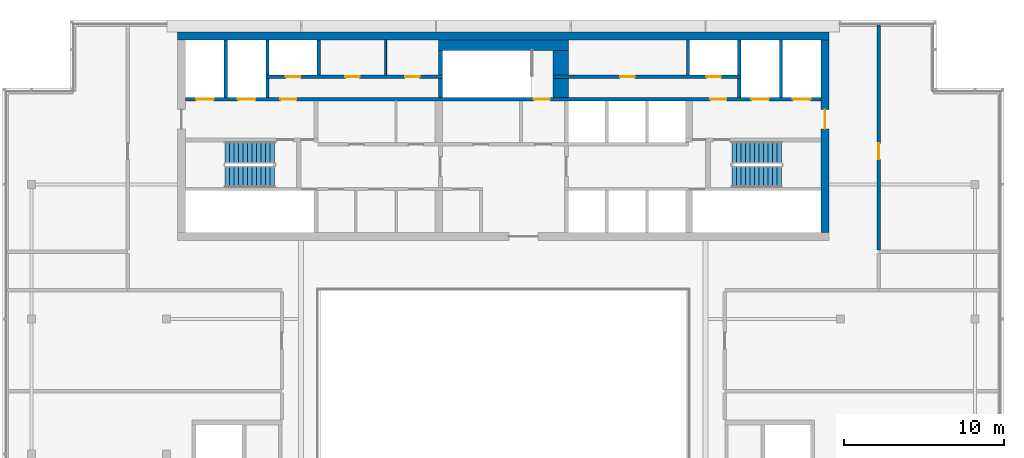
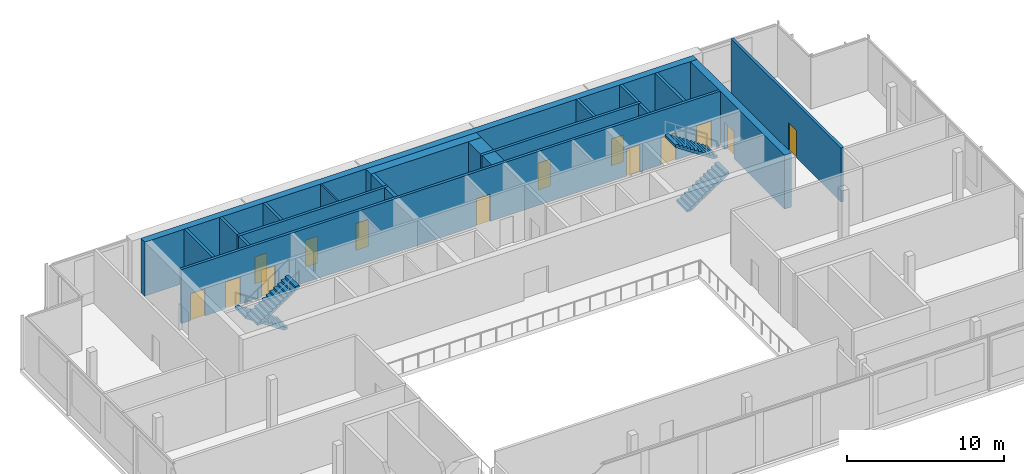
# One storey, part 13 of 14: 20 walls, 14 doors, 4 stair flights, 14 openings, 2 elements without a shape of their own.
"""IFC4 building model written with IfcOpenShell, lengths in metres."""

from ifc_helpers import new_model, si_unit, direction, frame, frame_2d, origin, place, context, subcontext, project, spatial, polyline, rectangle, outline, extrude, material, layer, layer_set, type_object, element, fill, aggregate, save


model = new_model("IFC4")

# Units and contexts
model_context = context("Model", 3, precision=1e-05, world=origin(), true_north=direction((0.0, 1.0)))
body_context = subcontext(model_context, "Body", "Model", "MODEL_VIEW")
ifc_project = project(units=[si_unit("LENGTHUNIT", "METRE"), si_unit("AREAUNIT", "SQUARE_METRE"), si_unit("VOLUMEUNIT", "CUBIC_METRE"), si_unit("PLANEANGLEUNIT", "RADIAN"), si_unit("MASSUNIT", "GRAM", prefix="KILO")], contexts=[model_context])

# Site, building, storey
site_placement = place(None, origin())
site = spatial("IfcSite", under=ifc_project, at=site_placement, CompositionType="ELEMENT")
building_placement = place(site_placement, origin())
building = spatial("IfcBuilding", under=site, at=building_placement, Name="Saffron Gate Tower", CompositionType="ELEMENT")
storey_placement = place(building_placement, frame((0.0, 0.0, 310.35009765625)))
storey = spatial("IfcBuildingStorey", under=building, at=storey_placement, Name="L76", CompositionType="ELEMENT", Elevation=310.35009765625)

# Wall
ifc_material_1 = material(Name="Concrete C50", Category="concrete")
ifc_layer_1 = layer(ifc_material_1, 0.5)
ifc_layer_set_1 = layer_set([ifc_layer_1], Name="CW22 RC core wall 500 C50")
wall_type_1 = type_object("IfcWallType", Name="CW22 RC core wall 500 C50", PredefinedType="SOLIDWALL", material=ifc_layer_set_1)
wall_1_placement = place(storey_placement, frame((67.300048828125, 74.64990234375, 0.0), z_axis=(0.0, 0.0, 1.0), x_axis=(1.0, 0.0, 0.0)))
element("IfcWall", 1, at=wall_1_placement, inside=storey, type_object=wall_type_1, Name="Wall CW22-L76-2", PredefinedType="SOLIDWALL", context=body_context, shape_type="SweptSolid", body=[
    extrude(rectangle(XDim=40.599853515625, YDim=0.5, at=frame_2d((20.2998046875, 0.0))), origin(), (0.0, 0.0, 1.0), 4.199951171875),
])

# Wall, opening, door
wall_2_placement = place(storey_placement, frame((107.64990234375, 62.39990234375, 0.0), z_axis=(0.0, 0.0, 1.0), x_axis=(0.0, 1.0, 0.0)))
wall_2 = element("IfcWall", 2, at=wall_2_placement, inside=storey, type_object=wall_type_1, Name="Wall CW22-L76-4", PredefinedType="SOLIDWALL", context=body_context, shape_type="SweptSolid", body=[
    extrude(rectangle(XDim=12.0, YDim=0.5, at=frame_2d((6.0, 0.0))), origin(), (0.0, 0.0, 1.0), 4.199951171875),
])
opening_1_placement = place(wall_2_placement, frame((6.449951171875, 0.0, 0.0)))
opening_1 = element("IfcOpeningElement", 3, at=opening_1_placement, cuts=wall_2, Name="Opening CR-08", PredefinedType="OPENING", context=body_context, shape_type="SweptSolid", body=[
    extrude(rectangle(XDim=1.199951171875, YDim=2.10009765625, at=frame_2d((0.60009765625, 1.050048828125))), frame((0.0, 0.260009765625, 0.0), z_axis=(0.0, -1.0, 0.0), x_axis=(1.0, 0.0, 0.0)), (0.0, 0.0, 1.0), 0.52001953125),
])
ifc_material_2 = material(Name="Steel fire door set", Category="steel")
door_type_1 = type_object("IfcDoorType", Name="CD7 Core entrance door 1200x2100 EI 120", OperationType="NOTDEFINED", PredefinedType="DOOR", material=ifc_material_2)
door_1_placement = place(opening_1_placement, origin())
door_1 = element("IfcDoor", 4, at=door_1_placement, inside=storey, type_object=door_type_1, Name="DOOR CR-08", OperationType="SINGLE_SWING_RIGHT", OverallHeight=2.10009765625, OverallWidth=1.199951171875, PredefinedType="DOOR", context=body_context, shape_type="SweptSolid", body=[
    extrude(rectangle(XDim=1.199951171875, YDim=2.10009765625, at=frame_2d((0.60009765625, 1.050048828125))), frame((0.0, 0.02490234375, 0.0), z_axis=(0.0, -1.0, 0.0), x_axis=(1.0, 0.0, 0.0)), (0.0, 0.0, 1.0), 0.050048828125),
])
fill(opening_1, door_1)

# Walls
ifc_layer_2 = layer(ifc_material_1, 0.25)
ifc_layer_set_2 = layer_set([ifc_layer_2], Name="CW23 RC core wall 250 C50")
wall_type_2 = type_object("IfcWallType", Name="CW23 RC core wall 250 C50", PredefinedType="SOLIDWALL", material=ifc_layer_set_2)
wall_3_placement = place(storey_placement, frame((83.675048828125, 70.800048828125, 0.0), z_axis=(0.0, 0.0, 1.0), x_axis=(0.0, 1.0, 0.0)))
element("IfcWall", 5, at=wall_3_placement, inside=storey, type_object=wall_type_2, Name="Wall CW23-L76-35", PredefinedType="SOLIDWALL", context=body_context, shape_type="SweptSolid", body=[
    extrude(rectangle(XDim=1.199951171875, YDim=0.25, at=frame_2d((0.60009765625, 0.0))), origin(), (0.0, 0.0, 1.0), 4.199951171875),
])
wall_4_placement = place(storey_placement, frame((83.675048828125, 72.199951171875, 0.0), z_axis=(0.0, 0.0, 1.0), x_axis=(0.0, 1.0, 0.0)))
element("IfcWall", 6, at=wall_4_placement, inside=storey, type_object=wall_type_2, Name="Wall CW23-L76-44", PredefinedType="SOLIDWALL", context=body_context, shape_type="SweptSolid", body=[
    extrude(rectangle(XDim=1.550048828125, YDim=0.25, at=frame_2d((0.77490234375, 0.0))), origin(), (0.0, 0.0, 1.0), 4.199951171875),
])

# Wall, openings, doors
ifc_layer_3 = layer(ifc_material_1, 0.199951171875)
ifc_layer_set_3 = layer_set([ifc_layer_3], Name="CW25 RC core wall 200 C50")
wall_type_3 = type_object("IfcWallType", Name="CW25 RC core wall 200 C50", PredefinedType="SOLIDWALL", material=ifc_layer_set_3)
wall_5_placement = place(storey_placement, frame((67.800048828125, 70.699951171875, 0.0), z_axis=(0.0, 0.0, 1.0), x_axis=(1.0, 0.0, 0.0)))
wall_5 = element("IfcWall", 7, at=wall_5_placement, inside=storey, type_object=wall_type_3, Name="Wall CW25-L76-32", PredefinedType="SOLIDWALL", context=body_context, shape_type="SweptSolid", body=[
    extrude(rectangle(XDim=39.599853515625, YDim=0.199951171875, at=frame_2d((19.7998046875, 0.0))), origin(), (0.0, 0.0, 1.0), 4.199951171875),
])
opening_2_placement = place(wall_5_placement, frame((0.64990234375, 0.0, 0.0)))
opening_2 = element("IfcOpeningElement", 8, at=opening_2_placement, cuts=wall_5, Name="Opening LD-FF1", PredefinedType="OPENING", context=body_context, shape_type="SweptSolid", body=[
    extrude(rectangle(XDim=1.10009765625, YDim=2.10009765625, at=frame_2d((0.550048828125, 1.050048828125))), frame((0.0, 0.10986328125, 0.0), z_axis=(0.0, -1.0, 0.0), x_axis=(1.0, 0.0, 0.0)), (0.0, 0.0, 1.0), 0.219970703125),
])
opening_3_placement = place(wall_5_placement, frame((3.25, 0.0, 0.0)))
opening_3 = element("IfcOpeningElement", 9, at=opening_3_placement, cuts=wall_5, Name="Opening LD-SV1", PredefinedType="OPENING", context=body_context, shape_type="SweptSolid", body=[
    extrude(rectangle(XDim=1.10009765625, YDim=2.10009765625, at=frame_2d((0.550048828125, 1.050048828125))), frame((0.0, 0.10986328125, 0.0), z_axis=(0.0, -1.0, 0.0), x_axis=(1.0, 0.0, 0.0)), (0.0, 0.0, 1.0), 0.219970703125),
])
opening_4_placement = place(wall_5_placement, frame((5.89990234375, 0.0, 0.0)))
opening_4 = element("IfcOpeningElement", 10, at=opening_4_placement, cuts=wall_5, Name="Opening CR-03", PredefinedType="OPENING", context=body_context, shape_type="SweptSolid", body=[
    extrude(rectangle(XDim=1.0, YDim=2.10009765625, at=frame_2d((0.5, 1.050048828125))), frame((0.0, 0.10986328125, 0.0), z_axis=(0.0, -1.0, 0.0), x_axis=(1.0, 0.0, 0.0)), (0.0, 0.0, 1.0), 0.219970703125),
])
opening_5_placement = place(wall_5_placement, frame((21.699951171875, 0.0, 0.0)))
opening_5 = element("IfcOpeningElement", 11, at=opening_5_placement, cuts=wall_5, Name="Opening CR-17", PredefinedType="OPENING", context=body_context, shape_type="SweptSolid", body=[
    extrude(rectangle(XDim=1.0, YDim=2.10009765625, at=frame_2d((0.5, 1.050048828125))), frame((0.0, 0.10986328125, 0.0), z_axis=(0.0, -1.0, 0.0), x_axis=(1.0, 0.0, 0.0)), (0.0, 0.0, 1.0), 0.219970703125),
])
opening_6_placement = place(wall_5_placement, frame((32.699951171875, 0.0, 0.0)))
opening_6 = element("IfcOpeningElement", 12, at=opening_6_placement, cuts=wall_5, Name="Opening CR-04", PredefinedType="OPENING", context=body_context, shape_type="SweptSolid", body=[
    extrude(rectangle(XDim=1.0, YDim=2.10009765625, at=frame_2d((0.5, 1.050048828125))), frame((0.0, 0.10986328125, 0.0), z_axis=(0.0, -1.0, 0.0), x_axis=(1.0, 0.0, 0.0)), (0.0, 0.0, 1.0), 0.219970703125),
])
opening_7_placement = place(wall_5_placement, frame((35.25, 0.0, 0.0)))
opening_7 = element("IfcOpeningElement", 13, at=opening_7_placement, cuts=wall_5, Name="Opening LD-SV2", PredefinedType="OPENING", context=body_context, shape_type="SweptSolid", body=[
    extrude(rectangle(XDim=1.10009765625, YDim=2.10009765625, at=frame_2d((0.550048828125, 1.050048828125))), frame((0.0, 0.10986328125, 0.0), z_axis=(0.0, -1.0, 0.0), x_axis=(1.0, 0.0, 0.0)), (0.0, 0.0, 1.0), 0.219970703125),
])
opening_8_placement = place(wall_5_placement, frame((37.85009765625, 0.0, 0.0)))
opening_8 = element("IfcOpeningElement", 14, at=opening_8_placement, cuts=wall_5, Name="Opening LD-FF2", PredefinedType="OPENING", context=body_context, shape_type="SweptSolid", body=[
    extrude(rectangle(XDim=1.10009765625, YDim=2.10009765625, at=frame_2d((0.550048828125, 1.050048828125))), frame((0.0, 0.10986328125, 0.0), z_axis=(0.0, -1.0, 0.0), x_axis=(1.0, 0.0, 0.0)), (0.0, 0.0, 1.0), 0.219970703125),
])
door_type_2 = type_object("IfcDoorType", Name="CD4 Lobby door 1000x2100 EI 120", OperationType="NOTDEFINED", PredefinedType="DOOR", material=ifc_material_2)
door_2_placement = place(opening_4_placement, origin())
door_2 = element("IfcDoor", 15, at=door_2_placement, inside=storey, type_object=door_type_2, Name="DOOR CR-03", OperationType="SINGLE_SWING_LEFT", OverallHeight=2.10009765625, OverallWidth=1.0, PredefinedType="DOOR", context=body_context, shape_type="SweptSolid", body=[
    extrude(rectangle(XDim=1.0, YDim=2.10009765625, at=frame_2d((0.5, 1.050048828125))), frame((0.0, 0.02490234375, 0.0), z_axis=(0.0, -1.0, 0.0), x_axis=(1.0, 0.0, 0.0)), (0.0, 0.0, 1.0), 0.050048828125),
])
fill(opening_4, door_2)
door_3_placement = place(opening_6_placement, origin())
door_3 = element("IfcDoor", 16, at=door_3_placement, inside=storey, type_object=door_type_2, Name="DOOR CR-04", OperationType="SINGLE_SWING_RIGHT", OverallHeight=2.10009765625, OverallWidth=1.0, PredefinedType="DOOR", context=body_context, shape_type="SweptSolid", body=[
    extrude(rectangle(XDim=1.0, YDim=2.10009765625, at=frame_2d((0.5, 1.050048828125))), frame((0.0, 0.02490234375, 0.0), z_axis=(0.0, -1.0, 0.0), x_axis=(1.0, 0.0, 0.0)), (0.0, 0.0, 1.0), 0.050048828125),
])
fill(opening_6, door_3)
door_type_3 = type_object("IfcDoorType", Name="CD5 Stair door 1000x2100 EI 120", OperationType="NOTDEFINED", PredefinedType="DOOR", material=ifc_material_2)
door_4_placement = place(opening_5_placement, origin())
door_4 = element("IfcDoor", 17, at=door_4_placement, inside=storey, type_object=door_type_3, Name="DOOR CR-17", OperationType="SINGLE_SWING_RIGHT", OverallHeight=2.10009765625, OverallWidth=1.0, PredefinedType="DOOR", context=body_context, shape_type="SweptSolid", body=[
    extrude(rectangle(XDim=1.0, YDim=2.10009765625, at=frame_2d((0.5, 1.050048828125))), frame((0.0, 0.02490234375, 0.0), z_axis=(0.0, -1.0, 0.0), x_axis=(1.0, 0.0, 0.0)), (0.0, 0.0, 1.0), 0.050048828125),
])
fill(opening_5, door_4)
ifc_material_3 = material(Name="Stainless steel landing door", Category="steel")
door_type_4 = type_object("IfcDoorType", Name="LD Lift landing door 1100x2100 EI 120", OperationType="SLIDING_TO_LEFT", PredefinedType="DOOR", material=ifc_material_3)
door_5_placement = place(opening_2_placement, origin())
door_5 = element("IfcDoor", 18, at=door_5_placement, inside=storey, type_object=door_type_4, Name="LANDING DOOR LD-FF1", OperationType="SLIDING_TO_RIGHT", OverallHeight=2.10009765625, OverallWidth=1.10009765625, PredefinedType="DOOR", context=body_context, shape_type="SweptSolid", body=[
    extrude(rectangle(XDim=1.10009765625, YDim=2.10009765625, at=frame_2d((0.550048828125, 1.050048828125))), frame((0.0, 0.02490234375, 0.0), z_axis=(0.0, -1.0, 0.0), x_axis=(1.0, 0.0, 0.0)), (0.0, 0.0, 1.0), 0.050048828125),
])
fill(opening_2, door_5)
door_6_placement = place(opening_3_placement, origin())
door_6 = element("IfcDoor", 19, at=door_6_placement, inside=storey, type_object=door_type_4, Name="LANDING DOOR LD-SV1", OperationType="SLIDING_TO_RIGHT", OverallHeight=2.10009765625, OverallWidth=1.10009765625, PredefinedType="DOOR", context=body_context, shape_type="SweptSolid", body=[
    extrude(rectangle(XDim=1.10009765625, YDim=2.10009765625, at=frame_2d((0.550048828125, 1.050048828125))), frame((0.0, 0.02490234375, 0.0), z_axis=(0.0, -1.0, 0.0), x_axis=(1.0, 0.0, 0.0)), (0.0, 0.0, 1.0), 0.050048828125),
])
fill(opening_3, door_6)
door_7_placement = place(opening_7_placement, origin())
door_7 = element("IfcDoor", 20, at=door_7_placement, inside=storey, type_object=door_type_4, Name="LANDING DOOR LD-SV2", OperationType="SLIDING_TO_RIGHT", OverallHeight=2.10009765625, OverallWidth=1.10009765625, PredefinedType="DOOR", context=body_context, shape_type="SweptSolid", body=[
    extrude(rectangle(XDim=1.10009765625, YDim=2.10009765625, at=frame_2d((0.550048828125, 1.050048828125))), frame((0.0, 0.02490234375, 0.0), z_axis=(0.0, -1.0, 0.0), x_axis=(1.0, 0.0, 0.0)), (0.0, 0.0, 1.0), 0.050048828125),
])
fill(opening_7, door_7)
door_8_placement = place(opening_8_placement, origin())
door_8 = element("IfcDoor", 21, at=door_8_placement, inside=storey, type_object=door_type_4, Name="LANDING DOOR LD-FF2", OperationType="SLIDING_TO_RIGHT", OverallHeight=2.10009765625, OverallWidth=1.10009765625, PredefinedType="DOOR", context=body_context, shape_type="SweptSolid", body=[
    extrude(rectangle(XDim=1.10009765625, YDim=2.10009765625, at=frame_2d((0.550048828125, 1.050048828125))), frame((0.0, 0.02490234375, 0.0), z_axis=(0.0, -1.0, 0.0), x_axis=(1.0, 0.0, 0.0)), (0.0, 0.0, 1.0), 0.050048828125),
])
fill(opening_8, door_8)

# Walls
wall_6_placement = place(storey_placement, frame((70.300048828125, 70.800048828125, 0.0), z_axis=(0.0, 0.0, 1.0), x_axis=(0.0, 1.0, 0.0)))
element("IfcWall", 22, at=wall_6_placement, inside=storey, type_object=wall_type_3, Name="Wall CW25-L76-33", PredefinedType="SOLIDWALL", context=body_context, shape_type="SweptSolid", body=[
    extrude(rectangle(XDim=3.599853515625, YDim=0.199951171875, at=frame_2d((1.7998046875, 0.0))), origin(), (0.0, 0.0, 1.0), 4.199951171875),
])
for number, where, z_axis, x_axis, name in (
    (23, (72.89990234375, 70.800048828125, 0.0), (0.0, 0.0, 1.0), (0.0, 1.0, 0.0), "Wall CW25-L76-34"),
    (24, (102.300048828125, 70.800048828125, 0.0), (0.0, 0.0, 1.0), (0.0, 1.0, 0.0), "Wall CW25-L76-37"),
):
    element("IfcWall", number, at=place(storey_placement, frame(where, z_axis=z_axis, x_axis=x_axis)), inside=storey, type_object=wall_type_3, Name=name, PredefinedType="SOLIDWALL", context=body_context, shape_type="SweptSolid", body=[
        extrude(rectangle(XDim=1.199951171875, YDim=0.199951171875, at=frame_2d((0.60009765625, 0.0))), origin(), (0.0, 0.0, 1.0), 4.199951171875),
    ])
wall_7_placement = place(storey_placement, frame((104.89990234375, 70.800048828125, 0.0), z_axis=(0.0, 0.0, 1.0), x_axis=(0.0, 1.0, 0.0)))
element("IfcWall", 25, at=wall_7_placement, inside=storey, type_object=wall_type_3, Name="Wall CW25-L76-38", PredefinedType="SOLIDWALL", context=body_context, shape_type="SweptSolid", body=[
    extrude(rectangle(XDim=3.599853515625, YDim=0.199951171875, at=frame_2d((1.7998046875, 0.0))), origin(), (0.0, 0.0, 1.0), 4.199951171875),
])

# Wall, openings, doors
wall_8_placement = place(storey_placement, frame((72.800048828125, 72.10009765625, 0.0), z_axis=(0.0, 0.0, 1.0), x_axis=(1.0, 0.0, 0.0)))
wall_8 = element("IfcWall", 26, at=wall_8_placement, inside=storey, type_object=wall_type_3, Name="Wall CW25-L76-39", PredefinedType="SOLIDWALL", context=body_context, shape_type="SweptSolid", body=[
    extrude(rectangle(XDim=11.0, YDim=0.199951171875, at=frame_2d((5.5, 0.0))), origin(), (0.0, 0.0, 1.0), 4.199951171875),
])
opening_9_placement = place(wall_8_placement, frame((1.25, 0.0, 0.0)))
opening_9 = element("IfcOpeningElement", 27, at=opening_9_placement, cuts=wall_8, Name="Opening CR-71", PredefinedType="OPENING", context=body_context, shape_type="SweptSolid", body=[
    extrude(rectangle(XDim=0.89990234375, YDim=2.10009765625, at=frame_2d((0.449951171875, 1.050048828125))), frame((0.0, 0.10986328125, 0.0), z_axis=(0.0, -1.0, 0.0), x_axis=(1.0, 0.0, 0.0)), (0.0, 0.0, 1.0), 0.219970703125),
])
opening_10_placement = place(wall_8_placement, frame((4.949951171875, 0.0, 0.0)))
opening_10 = element("IfcOpeningElement", 28, at=opening_10_placement, cuts=wall_8, Name="Opening CR-56", PredefinedType="OPENING", context=body_context, shape_type="SweptSolid", body=[
    extrude(rectangle(XDim=0.89990234375, YDim=2.10009765625, at=frame_2d((0.449951171875, 1.050048828125))), frame((0.0, 0.10986328125, 0.0), z_axis=(0.0, -1.0, 0.0), x_axis=(1.0, 0.0, 0.0)), (0.0, 0.0, 1.0), 0.219970703125),
])
opening_11_placement = place(wall_8_placement, frame((8.68505859375, 0.0, 0.0)))
opening_11 = element("IfcOpeningElement", 29, at=opening_11_placement, cuts=wall_8, Name="Opening CR-58", PredefinedType="OPENING", context=body_context, shape_type="SweptSolid", body=[
    extrude(rectangle(XDim=0.89990234375, YDim=2.10009765625, at=frame_2d((0.449951171875, 1.050048828125))), frame((0.0, 0.10986328125, 0.0), z_axis=(0.0, -1.0, 0.0), x_axis=(1.0, 0.0, 0.0)), (0.0, 0.0, 1.0), 0.219970703125),
])
door_type_5 = type_object("IfcDoorType", Name="CD2 Riser door 900x2100 EI 60", OperationType="NOTDEFINED", PredefinedType="DOOR", material=ifc_material_2)
door_9_placement = place(opening_9_placement, origin())
door_9 = element("IfcDoor", 30, at=door_9_placement, inside=storey, type_object=door_type_5, Name="DOOR CR-71", OperationType="SINGLE_SWING_LEFT", OverallHeight=2.10009765625, OverallWidth=0.89990234375, PredefinedType="DOOR", context=body_context, shape_type="SweptSolid", body=[
    extrude(rectangle(XDim=0.89990234375, YDim=2.10009765625, at=frame_2d((0.449951171875, 1.050048828125))), frame((0.0, 0.02490234375, 0.0), z_axis=(0.0, -1.0, 0.0), x_axis=(1.0, 0.0, 0.0)), (0.0, 0.0, 1.0), 0.050048828125),
])
fill(opening_9, door_9)
door_type_6 = type_object("IfcDoorType", Name="CD8 Room door 900x2100 EI 120", OperationType="NOTDEFINED", PredefinedType="DOOR", material=ifc_material_2)
door_10_placement = place(opening_10_placement, origin())
door_10 = element("IfcDoor", 31, at=door_10_placement, inside=storey, type_object=door_type_6, Name="DOOR CR-56", OperationType="SINGLE_SWING_LEFT", OverallHeight=2.10009765625, OverallWidth=0.89990234375, PredefinedType="DOOR", context=body_context, shape_type="SweptSolid", body=[
    extrude(rectangle(XDim=0.89990234375, YDim=2.10009765625, at=frame_2d((0.449951171875, 1.050048828125))), frame((0.0, 0.02490234375, 0.0), z_axis=(0.0, -1.0, 0.0), x_axis=(1.0, 0.0, 0.0)), (0.0, 0.0, 1.0), 0.050048828125),
])
fill(opening_10, door_10)
door_type_7 = type_object("IfcDoorType", Name="CD9 Room door 900x2100 EI 60", OperationType="NOTDEFINED", PredefinedType="DOOR", material=ifc_material_2)
door_11_placement = place(opening_11_placement, origin())
door_11 = element("IfcDoor", 32, at=door_11_placement, inside=storey, type_object=door_type_7, Name="DOOR CR-58", OperationType="SINGLE_SWING_LEFT", OverallHeight=2.10009765625, OverallWidth=0.89990234375, PredefinedType="DOOR", context=body_context, shape_type="SweptSolid", body=[
    extrude(rectangle(XDim=0.89990234375, YDim=2.10009765625, at=frame_2d((0.449951171875, 1.050048828125))), frame((0.0, 0.02490234375, 0.0), z_axis=(0.0, -1.0, 0.0), x_axis=(1.0, 0.0, 0.0)), (0.0, 0.0, 1.0), 0.050048828125),
])
fill(opening_11, door_11)

wall_9_placement = place(storey_placement, frame((90.699951171875, 72.10009765625, 0.0), z_axis=(0.0, 0.0, 1.0), x_axis=(1.0, 0.0, 0.0)))
wall_9 = element("IfcWall", 33, at=wall_9_placement, inside=storey, type_object=wall_type_3, Name="Wall CW25-L76-40", PredefinedType="SOLIDWALL", context=body_context, shape_type="SweptSolid", body=[
    extrude(rectangle(XDim=11.699951171875, YDim=0.199951171875, at=frame_2d((5.85009765625, 0.0))), origin(), (0.0, 0.0, 1.0), 4.199951171875),
])
opening_12_placement = place(wall_9_placement, frame((4.175048828125, 0.0, 0.0)))
opening_12 = element("IfcOpeningElement", 34, at=opening_12_placement, cuts=wall_9, Name="Opening CR-51", PredefinedType="OPENING", context=body_context, shape_type="SweptSolid", body=[
    extrude(rectangle(XDim=0.89990234375, YDim=2.10009765625, at=frame_2d((0.449951171875, 1.050048828125))), frame((0.0, 0.10986328125, 0.0), z_axis=(0.0, -1.0, 0.0), x_axis=(1.0, 0.0, 0.0)), (0.0, 0.0, 1.0), 0.219970703125),
])
opening_13_placement = place(wall_9_placement, frame((9.550048828125, 0.0, 0.0)))
opening_13 = element("IfcOpeningElement", 35, at=opening_13_placement, cuts=wall_9, Name="Opening CR-70", PredefinedType="OPENING", context=body_context, shape_type="SweptSolid", body=[
    extrude(rectangle(XDim=0.89990234375, YDim=2.10009765625, at=frame_2d((0.449951171875, 1.050048828125))), frame((0.0, 0.10986328125, 0.0), z_axis=(0.0, -1.0, 0.0), x_axis=(1.0, 0.0, 0.0)), (0.0, 0.0, 1.0), 0.219970703125),
])
door_12_placement = place(opening_13_placement, origin())
door_12 = element("IfcDoor", 36, at=door_12_placement, inside=storey, type_object=door_type_5, Name="DOOR CR-70", OperationType="SINGLE_SWING_LEFT", OverallHeight=2.10009765625, OverallWidth=0.89990234375, PredefinedType="DOOR", context=body_context, shape_type="SweptSolid", body=[
    extrude(rectangle(XDim=0.89990234375, YDim=2.10009765625, at=frame_2d((0.449951171875, 1.050048828125))), frame((0.0, 0.02490234375, 0.0), z_axis=(0.0, -1.0, 0.0), x_axis=(1.0, 0.0, 0.0)), (0.0, 0.0, 1.0), 0.050048828125),
])
fill(opening_13, door_12)
door_13_placement = place(opening_12_placement, origin())
door_13 = element("IfcDoor", 37, at=door_13_placement, inside=storey, type_object=door_type_6, Name="DOOR CR-51", OperationType="SINGLE_SWING_LEFT", OverallHeight=2.10009765625, OverallWidth=0.89990234375, PredefinedType="DOOR", context=body_context, shape_type="SweptSolid", body=[
    extrude(rectangle(XDim=0.89990234375, YDim=2.10009765625, at=frame_2d((0.449951171875, 1.050048828125))), frame((0.0, 0.02490234375, 0.0), z_axis=(0.0, -1.0, 0.0), x_axis=(1.0, 0.0, 0.0)), (0.0, 0.0, 1.0), 0.050048828125),
])
fill(opening_12, door_13)

# Walls
for number, where, z_axis, x_axis, name in (
    (38, (72.89990234375, 72.199951171875, 0.0), (0.0, 0.0, 1.0), (0.0, 1.0, 0.0), "Wall CW25-L76-41"),
    (39, (76.10009765625, 72.199951171875, 0.0), (0.0, 0.0, 1.0), (0.0, 1.0, 0.0), "Wall CW25-L76-42"),
    (40, (99.10009765625, 72.199951171875, 0.0), (0.0, 0.0, 1.0), (0.0, 1.0, 0.0), "Wall CW25-L76-46"),
    (41, (102.300048828125, 72.199951171875, 0.0), (0.0, 0.0, 1.0), (0.0, 1.0, 0.0), "Wall CW25-L76-47"),
):
    element("IfcWall", number, at=place(storey_placement, frame(where, z_axis=z_axis, x_axis=x_axis)), inside=storey, type_object=wall_type_3, Name=name, PredefinedType="SOLIDWALL", context=body_context, shape_type="SweptSolid", body=[
        extrude(rectangle(XDim=2.199951171875, YDim=0.199951171875, at=frame_2d((1.10009765625, 0.0))), origin(), (0.0, 0.0, 1.0), 4.199951171875),
    ])
ifc_layer_4 = layer(ifc_material_1, 0.949951171875)
ifc_layer_set_4 = layer_set([ifc_layer_4], Name="CW28 RC core wall 950 C50")
wall_type_4 = type_object("IfcWallType", Name="CW28 RC core wall 950 C50", PredefinedType="SOLIDWALL", material=ifc_layer_set_4)
wall_10_placement = place(storey_placement, frame((91.175048828125, 70.800048828125, 0.0), z_axis=(0.0, 0.0, 1.0), x_axis=(0.0, 1.0, 0.0)))
element("IfcWall", 42, at=wall_10_placement, inside=storey, type_object=wall_type_4, Name="Wall CW28-L76-36", PredefinedType="SOLIDWALL", context=body_context, shape_type="SweptSolid", body=[
    extrude(rectangle(XDim=1.199951171875, YDim=0.949951171875, at=frame_2d((0.60009765625, 0.0))), origin(), (0.0, 0.0, 1.0), 4.199951171875),
])
wall_11_placement = place(storey_placement, frame((91.175048828125, 72.199951171875, 0.0), z_axis=(0.0, 0.0, 1.0), x_axis=(0.0, 1.0, 0.0)))
element("IfcWall", 43, at=wall_11_placement, inside=storey, type_object=wall_type_4, Name="Wall CW28-L76-45", PredefinedType="SOLIDWALL", context=body_context, shape_type="SweptSolid", body=[
    extrude(rectangle(XDim=1.550048828125, YDim=0.949951171875, at=frame_2d((0.77490234375, 0.0))), origin(), (0.0, 0.0, 1.0), 4.199951171875),
])
ifc_layer_5 = layer(ifc_material_1, 0.64990234375)
ifc_layer_set_5 = layer_set([ifc_layer_5], Name="CW29 RC core wall 650 C50")
wall_type_5 = type_object("IfcWallType", Name="CW29 RC core wall 650 C50", PredefinedType="SOLIDWALL", material=ifc_layer_set_5)
wall_12_placement = place(storey_placement, frame((83.550048828125, 74.074951171875, 0.0), z_axis=(0.0, 0.0, 1.0), x_axis=(1.0, 0.0, 0.0)))
element("IfcWall", 44, at=wall_12_placement, inside=storey, type_object=wall_type_5, Name="Wall CW29-L76-48", PredefinedType="SOLIDWALL", context=body_context, shape_type="SweptSolid", body=[
    extrude(rectangle(XDim=8.099853515625, YDim=0.64990234375, at=frame_2d((4.0498046875, 0.0))), origin(), (0.0, 0.0, 1.0), 4.199951171875),
])
ifc_material_4 = material(Name="Gypsum board partition on steel studs", Category="steel")
ifc_layer_6 = layer(ifc_material_4, 0.1201171875)
ifc_layer_set_6 = layer_set([ifc_layer_6], Name="CW8 Core partition 120")
wall_type_6 = type_object("IfcWallType", Name="CW8 Core partition 120", PredefinedType="PARTITIONING", material=ifc_layer_set_6)
wall_13_placement = place(storey_placement, frame((80.260009765625, 72.199951171875, 0.0), z_axis=(0.0, 0.0, 1.0), x_axis=(0.0, 1.0, 0.0)))
element("IfcWall", 45, at=wall_13_placement, inside=storey, type_object=wall_type_6, Name="Wall CW8-L76-43", PredefinedType="PARTITIONING", context=body_context, shape_type="SweptSolid", body=[
    extrude(rectangle(XDim=2.199951171875, YDim=0.1201171875, at=frame_2d((1.10009765625, 0.0))), origin(), (0.0, 0.0, 1.0), 4.199951171875),
])

# Wall, opening, door
ifc_material_5 = material(Name="Clay brick masonry, rendered", Category="masonry")
ifc_layer_7 = layer(ifc_material_5, 0.199951171875)
ifc_layer_set_7 = layer_set([ifc_layer_7], Name="PW4 Plant room wall 200")
wall_type_7 = type_object("IfcWallType", Name="PW4 Plant room wall 200", PredefinedType="PARTITIONING", material=ifc_layer_set_7)
wall_14_placement = place(storey_placement, frame((111.0, 75.320068359375, 0.0), z_axis=(0.0, 0.0, 1.0), x_axis=(0.0, -1.0, 0.0)))
wall_14 = element("IfcWall", 46, at=wall_14_placement, inside=storey, type_object=wall_type_7, Name="Wall CR-26", PredefinedType="PARTITIONING", context=body_context, shape_type="SweptSolid", body=[
    extrude(rectangle(XDim=14.02001953125, YDim=0.199951171875, at=frame_2d((7.010009765625, 0.0))), origin(), (0.0, 0.0, 1.0), 4.199951171875),
])
opening_14_placement = place(wall_14_placement, frame((7.3701171875, 0.0, 0.0)))
opening_14 = element("IfcOpeningElement", 47, at=opening_14_placement, cuts=wall_14, Name="Opening CR-1", PredefinedType="OPENING", context=body_context, shape_type="SweptSolid", body=[
    extrude(rectangle(XDim=1.0, YDim=2.10009765625, at=frame_2d((0.5, 1.050048828125))), frame((0.0, 0.10986328125, 0.0), z_axis=(0.0, -1.0, 0.0), x_axis=(1.0, 0.0, 0.0)), (0.0, 0.0, 1.0), 0.219970703125),
])
door_type_8 = type_object("IfcDoorType", Name="PD1 Plant room door 1000x2100", OperationType="NOTDEFINED", PredefinedType="DOOR", material=ifc_material_2)
door_14_placement = place(opening_14_placement, origin())
door_14 = element("IfcDoor", 48, at=door_14_placement, inside=storey, type_object=door_type_8, Name="Door CR-1", OperationType="SINGLE_SWING_RIGHT", OverallHeight=2.10009765625, OverallWidth=1.0, PredefinedType="DOOR", context=body_context, shape_type="SweptSolid", body=[
    extrude(rectangle(XDim=1.0, YDim=2.10009765625, at=frame_2d((0.5, 1.050048828125))), frame((0.0, 0.02490234375, 0.0), z_axis=(0.0, -1.0, 0.0), x_axis=(1.0, 0.0, 0.0)), (0.0, 0.0, 1.0), 0.050048828125),
])
fill(opening_14, door_14)

# Stair, stair flights
ifc_material_6 = material(Name="Concrete C40", Category="concrete")
stair_type = type_object("IfcStairType", Name="ST6 Stair 1350 wide, 24 risers of 188", PredefinedType="HALF_TURN_STAIR", material=ifc_material_6)
stair_1_placement = place(storey_placement, origin())
stair_1 = element("IfcStair", 49, at=stair_1_placement, inside=storey, type_object=stair_type, Name="L76 Exit stair A", PredefinedType="HALF_TURN_STAIR")
stair_flight_type = type_object("IfcStairFlightType", Name="SF2 Stair flight 1350 wide, riser 188 going 280", PredefinedType="STRAIGHT", material=ifc_material_6)
stair_flight_1_placement = place(storey_placement, frame((73.35009765625, 67.375, 0.0), z_axis=(0.0, 0.0, 1.0), x_axis=(-1.0, 0.0, 0.0)))
stair_flight_1 = element("IfcStairFlight", 50, at=stair_flight_1_placement, type_object=stair_flight_type, Name="ST-A flight 1", NumberOfRisers=12, NumberOfTreads=11, PredefinedType="STRAIGHT", RiserHeight=0.1875, TreadLength=0.28, context=body_context, shape_type="SweptSolid", body=[
    extrude(outline(polyline([(0.0, 0.0), (0.0, 0.1875), (0.280029296875, 0.1875), (0.280029296875, 0.375), (0.56005859375, 0.375), (0.56005859375, 0.5625), (0.840087890625, 0.5625), (0.840087890625, 0.75), (1.1201171875, 0.75), (1.1201171875, 0.9375), (1.39990234375, 0.9375), (1.39990234375, 1.125), (1.679931640625, 1.125), (1.679931640625, 1.3125), (1.9599609375, 1.3125), (1.9599609375, 1.5), (2.239990234375, 1.5), (2.239990234375, 1.6875), (2.52001953125, 1.6875), (2.52001953125, 1.875), (2.800048828125, 1.875), (2.800048828125, 2.0625), (3.080078125, 2.0625), (3.080078125, 2.25), (3.080078125, 1.882080078125), (0.26953125, 0.0), (0.0, 0.0)])), frame((0.0, 0.675048828125, 0.0), z_axis=(0.0, -1.0, 0.0), x_axis=(1.0, 0.0, 0.0)), (0.0, 0.0, 1.0), 1.35009765625),
])
stair_flight_2_placement = place(storey_placement, frame((70.27001953125, 65.875, 2.25), z_axis=(0.0, 0.0, 1.0), x_axis=(1.0, 0.0, 0.0)))
stair_flight_2 = element("IfcStairFlight", 51, at=stair_flight_2_placement, type_object=stair_flight_type, Name="ST-A flight 2", NumberOfRisers=12, NumberOfTreads=11, PredefinedType="STRAIGHT", RiserHeight=0.1875, TreadLength=0.28, context=body_context, shape_type="SweptSolid", body=[
    extrude(outline(polyline([(0.0, 0.0), (0.0, 0.1875), (0.280029296875, 0.1875), (0.280029296875, 0.375), (0.56005859375, 0.375), (0.56005859375, 0.5625), (0.840087890625, 0.5625), (0.840087890625, 0.75), (1.1201171875, 0.75), (1.1201171875, 0.9375), (1.39990234375, 0.9375), (1.39990234375, 1.125), (1.679931640625, 1.125), (1.679931640625, 1.3125), (1.9599609375, 1.3125), (1.9599609375, 1.5), (2.239990234375, 1.5), (2.239990234375, 1.6875), (2.52001953125, 1.6875), (2.52001953125, 1.875), (2.800048828125, 1.875), (2.800048828125, 2.0625), (3.080078125, 2.0625), (3.080078125, 2.25), (3.080078125, 1.882080078125), (0.26953125, 0.0), (0.0, 0.0)])), frame((0.0, 0.675048828125, 0.0), z_axis=(0.0, -1.0, 0.0), x_axis=(1.0, 0.0, 0.0)), (0.0, 0.0, 1.0), 1.35009765625),
])
aggregate(stair_1, [stair_flight_1, stair_flight_2])

stair_2_placement = place(storey_placement, origin())
stair_2 = element("IfcStair", 52, at=stair_2_placement, inside=storey, type_object=stair_type, Name="L76 Exit stair B", PredefinedType="HALF_TURN_STAIR")
stair_flight_3_placement = place(storey_placement, frame((101.85009765625, 65.875, 0.0), z_axis=(0.0, 0.0, 1.0), x_axis=(1.0, 0.0, 0.0)))
stair_flight_3 = element("IfcStairFlight", 53, at=stair_flight_3_placement, type_object=stair_flight_type, Name="ST-B flight 1", NumberOfRisers=12, NumberOfTreads=11, PredefinedType="STRAIGHT", RiserHeight=0.1875, TreadLength=0.28, context=body_context, shape_type="SweptSolid", body=[
    extrude(outline(polyline([(0.0, 0.0), (0.0, 0.1875), (0.280029296875, 0.1875), (0.280029296875, 0.375), (0.56005859375, 0.375), (0.56005859375, 0.5625), (0.840087890625, 0.5625), (0.840087890625, 0.75), (1.1201171875, 0.75), (1.1201171875, 0.9375), (1.39990234375, 0.9375), (1.39990234375, 1.125), (1.679931640625, 1.125), (1.679931640625, 1.3125), (1.9599609375, 1.3125), (1.9599609375, 1.5), (2.239990234375, 1.5), (2.239990234375, 1.6875), (2.52001953125, 1.6875), (2.52001953125, 1.875), (2.800048828125, 1.875), (2.800048828125, 2.0625), (3.080078125, 2.0625), (3.080078125, 2.25), (3.080078125, 1.882080078125), (0.26953125, 0.0), (0.0, 0.0)])), frame((0.0, 0.675048828125, 0.0), z_axis=(0.0, -1.0, 0.0), x_axis=(1.0, 0.0, 0.0)), (0.0, 0.0, 1.0), 1.35009765625),
])
stair_flight_4_placement = place(storey_placement, frame((104.929931640625, 67.375, 2.25), z_axis=(0.0, 0.0, 1.0), x_axis=(-1.0, 0.0, 0.0)))
stair_flight_4 = element("IfcStairFlight", 54, at=stair_flight_4_placement, type_object=stair_flight_type, Name="ST-B flight 2", NumberOfRisers=12, NumberOfTreads=11, PredefinedType="STRAIGHT", RiserHeight=0.1875, TreadLength=0.28, context=body_context, shape_type="SweptSolid", body=[
    extrude(outline(polyline([(0.0, 0.0), (0.0, 0.1875), (0.280029296875, 0.1875), (0.280029296875, 0.375), (0.56005859375, 0.375), (0.56005859375, 0.5625), (0.840087890625, 0.5625), (0.840087890625, 0.75), (1.1201171875, 0.75), (1.1201171875, 0.9375), (1.39990234375, 0.9375), (1.39990234375, 1.125), (1.679931640625, 1.125), (1.679931640625, 1.3125), (1.9599609375, 1.3125), (1.9599609375, 1.5), (2.239990234375, 1.5), (2.239990234375, 1.6875), (2.52001953125, 1.6875), (2.52001953125, 1.875), (2.800048828125, 1.875), (2.800048828125, 2.0625), (3.080078125, 2.0625), (3.080078125, 2.25), (3.080078125, 1.882080078125), (0.26953125, 0.0), (0.0, 0.0)])), frame((0.0, 0.675048828125, 0.0), z_axis=(0.0, -1.0, 0.0), x_axis=(1.0, 0.0, 0.0)), (0.0, 0.0, 1.0), 1.35009765625),
])
aggregate(stair_2, [stair_flight_3, stair_flight_4])

save(model, "model.ifc")
